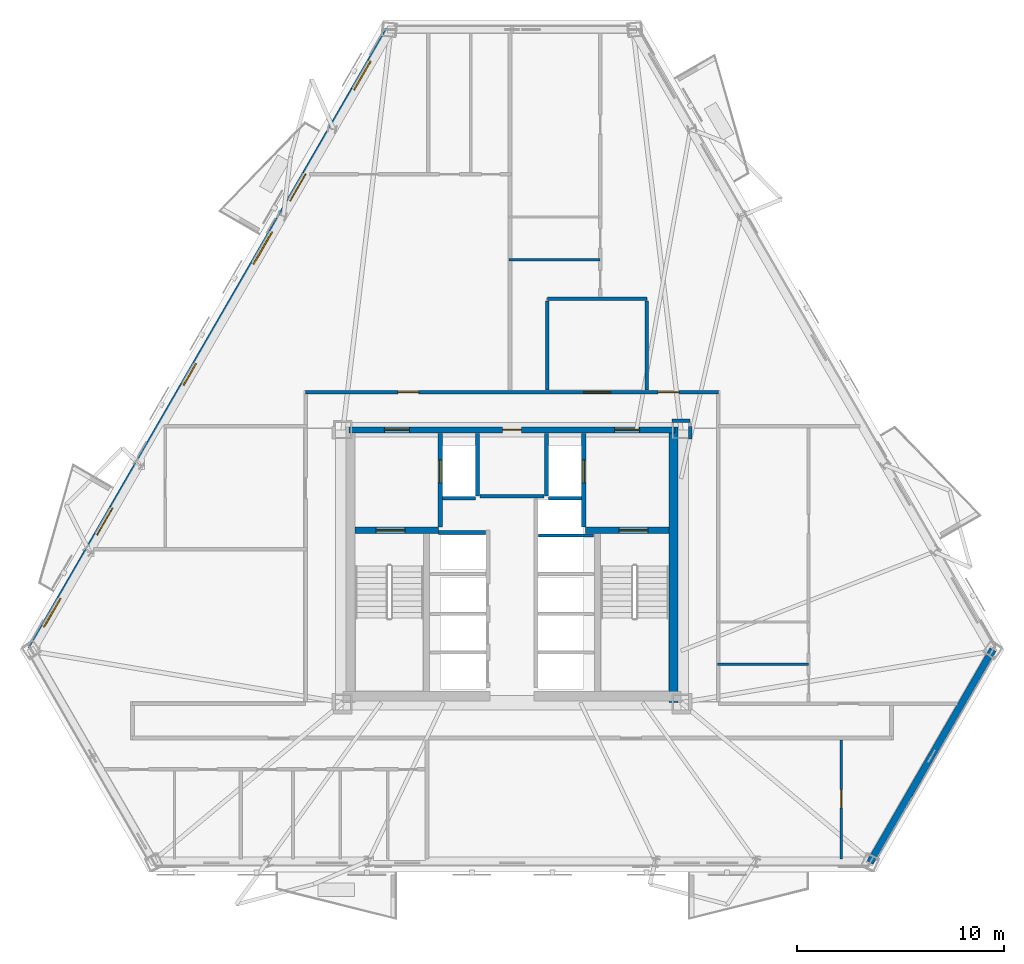
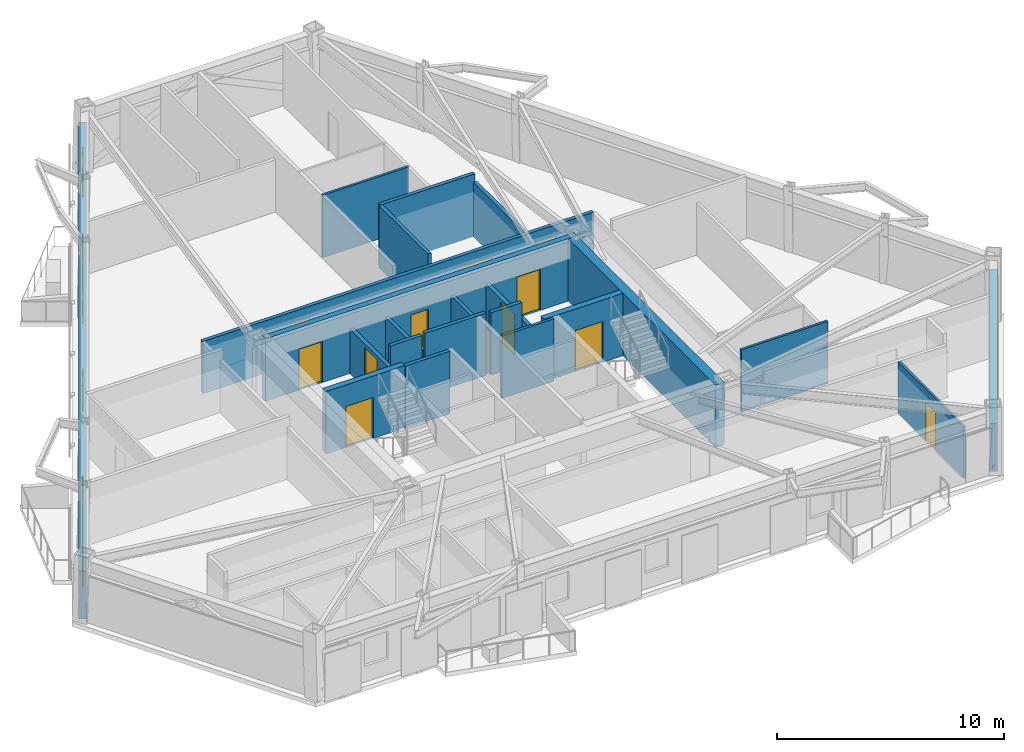
# One storey, part 4 of 10: 24 walls, 13 doors, 4 windows, 17 openings.
"""IFC4 building model written with IfcOpenShell, lengths in metres."""

from ifc_helpers import new_model, si_unit, direction, frame, frame_2d, origin, place, context, subcontext, project, spatial, rectangle, extrude, material, layer, layer_set, type_object, element, fill, save


model = new_model("IFC4")

# Units and contexts
model_context = context("Model", 3, precision=1e-05, world=origin(), true_north=direction((0.0, 1.0)))
body_context = subcontext(model_context, "Body", "Model", "MODEL_VIEW")
ifc_project = project(units=[si_unit("LENGTHUNIT", "METRE"), si_unit("AREAUNIT", "SQUARE_METRE"), si_unit("VOLUMEUNIT", "CUBIC_METRE"), si_unit("PLANEANGLEUNIT", "RADIAN"), si_unit("MASSUNIT", "GRAM", prefix="KILO")], contexts=[model_context])

# Site, building, storey
site_placement = place(None, origin())
site = spatial("IfcSite", under=ifc_project, at=site_placement, CompositionType="ELEMENT")
building_placement = place(site_placement, origin())
building = spatial("IfcBuilding", under=site, at=building_placement, Name="Oramaril Tower", CompositionType="ELEMENT")
storey_placement = place(building_placement, frame((0.0, 0.0, 100.5)))
storey = spatial("IfcBuildingStorey", under=building, at=storey_placement, Name="L26", CompositionType="ELEMENT", Elevation=100.5)

# Wall
ifc_material_1 = material(Name="Warm Cream Limestone", Category="masonry")
ifc_layer_1 = layer(ifc_material_1, 0.340087890625)
ifc_layer_set_1 = layer_set([ifc_layer_1], Name="WT-EXT34")
wall_type_1 = type_object("IfcWallType", Name="WT-EXT34", PredefinedType="SOLIDWALL", material=ifc_layer_set_1)
wall_1_placement = place(storey_placement, frame((54.75830078125, 3.286376953125, 0.0), z_axis=(0.0, 0.0, 1.0), x_axis=(0.4999967785, 0.866027263711, 0.0)))
element("IfcWall", 1, at=wall_1_placement, inside=storey, type_object=wall_type_1, Name="L26 Tower Limestone Facade Wall 3M", PredefinedType="SOLIDWALL", context=body_context, shape_type="SweptSolid", body=[
    extrude(rectangle(XDim=11.86376953125, YDim=0.340087890625, at=frame_2d((5.931884765625, 0.0))), origin(), (0.0, 0.0, 1.0), 2.577880859375),
])

# Wall, openings, doors, windows
wall_2_placement = place(storey_placement, frame((31.568115234375, 43.452880859375, 0.0), z_axis=(0.0, 0.0, 1.0), x_axis=(-0.500002056916, -0.86602421622, 0.0)))
wall_2 = element("IfcWall", 2, at=wall_2_placement, inside=storey, type_object=wall_type_1, Name="L26 Tower Limestone Facade Wall 6M", PredefinedType="SOLIDWALL", context=body_context, shape_type="SweptSolid", body=[
    extrude(rectangle(XDim=34.516357421875, YDim=0.340087890625, at=frame_2d((17.25830078125, 0.0))), origin(), (0.0, 0.0, 1.0), 2.577880859375),
])
opening_1_placement = place(wall_2_placement, frame((8.034423828125, 0.0, 0.0)))
opening_1 = element("IfcOpeningElement", 3, at=opening_1_placement, cuts=wall_2, Name="Opening D-L26-BAL-NW1", PredefinedType="OPENING", context=body_context, shape_type="SweptSolid", body=[
    extrude(rectangle(XDim=1.5, YDim=2.199951171875, at=frame_2d((0.75, 1.10009765625))), frame((0.0, 0.169921875, 0.0), z_axis=(0.0, -1.0, 0.0), x_axis=(1.0, 0.0, 0.0)), (0.0, 0.0, 1.0), 0.340087890625),
])
opening_2_placement = place(wall_2_placement, frame((26.647216796875, 0.0, 0.0)))
opening_2 = element("IfcOpeningElement", 4, at=opening_2_placement, cuts=wall_2, Name="Opening D-L26-BAL-NW2", PredefinedType="OPENING", context=body_context, shape_type="SweptSolid", body=[
    extrude(rectangle(XDim=1.5, YDim=2.199951171875, at=frame_2d((0.75, 1.10009765625))), frame((0.0, 0.169921875, 0.0), z_axis=(0.0, -1.0, 0.0), x_axis=(1.0, 0.0, 0.0)), (0.0, 0.0, 1.0), 0.340087890625),
])
opening_3_placement = place(wall_2_placement, frame((31.671630859375, 0.0, 0.85009765625)))
opening_3 = element("IfcOpeningElement", 5, at=opening_3_placement, cuts=wall_2, Name="Opening WN-07", PredefinedType="OPENING", context=body_context, shape_type="SweptSolid", body=[
    extrude(rectangle(XDim=1.60009765625, YDim=1.617919921875, at=frame_2d((0.800048828125, 0.80908203125))), frame((0.0, 0.169921875, 0.0), z_axis=(0.0, -1.0, 0.0), x_axis=(1.0, 0.0, 0.0)), (0.0, 0.0, 1.0), 0.340087890625),
])
opening_4_placement = place(wall_2_placement, frame((11.26220703125, 0.0, 0.85009765625)))
opening_4 = element("IfcOpeningElement", 6, at=opening_4_placement, cuts=wall_2, Name="Opening WN-06", PredefinedType="OPENING", context=body_context, shape_type="SweptSolid", body=[
    extrude(rectangle(XDim=1.800048828125, YDim=1.617919921875, at=frame_2d((0.89990234375, 0.80908203125))), frame((0.0, 0.169921875, 0.0), z_axis=(0.0, -1.0, 0.0), x_axis=(1.0, 0.0, 0.0)), (0.0, 0.0, 1.0), 0.340087890625),
])
opening_5_placement = place(wall_2_placement, frame((18.602294921875, 0.0, 0.85009765625)))
opening_5 = element("IfcOpeningElement", 7, at=opening_5_placement, cuts=wall_2, Name="Opening WN-09", PredefinedType="OPENING", context=body_context, shape_type="SweptSolid", body=[
    extrude(rectangle(XDim=1.199951171875, YDim=1.47998046875, at=frame_2d((0.60009765625, 0.739990234375))), frame((0.0, 0.169921875, 0.0), z_axis=(0.0, -1.0, 0.0), x_axis=(1.0, 0.0, 0.0)), (0.0, 0.0, 1.0), 0.340087890625),
])
opening_6_placement = place(wall_2_placement, frame((1.7626953125, 0.0, 0.85009765625)))
opening_6 = element("IfcOpeningElement", 8, at=opening_6_placement, cuts=wall_2, Name="Opening WN-07", PredefinedType="OPENING", context=body_context, shape_type="SweptSolid", body=[
    extrude(rectangle(XDim=1.60009765625, YDim=1.617919921875, at=frame_2d((0.800048828125, 0.80908203125))), frame((0.0, 0.169921875, 0.0), z_axis=(0.0, -1.0, 0.0), x_axis=(1.0, 0.0, 0.0)), (0.0, 0.0, 1.0), 0.340087890625),
])
ifc_material_2 = material(Name="Anodised Aluminium 6063-T6", Category="aluminium")
door_type_1 = type_object("IfcDoorType", Name="DT-BAL", OperationType="NOTDEFINED", PredefinedType="DOOR", material=ifc_material_2)
door_1_placement = place(opening_1_placement, origin())
door_1 = element("IfcDoor", 9, at=door_1_placement, inside=storey, type_object=door_type_1, Name="L26 Balcony Glazed Door L26-BAL-NW1", OperationType="SINGLE_SWING_LEFT", OverallHeight=2.199951171875, OverallWidth=1.5, PredefinedType="DOOR", context=body_context, shape_type="SweptSolid", body=[
    extrude(rectangle(XDim=1.5, YDim=2.199951171875, at=frame_2d((0.75, 1.10009765625))), frame((0.0, 0.02490234375, 0.0), z_axis=(0.0, -1.0, 0.0), x_axis=(1.0, 0.0, 0.0)), (0.0, 0.0, 1.0), 0.050048828125),
])
fill(opening_1, door_1)
door_2_placement = place(opening_2_placement, origin())
door_2 = element("IfcDoor", 10, at=door_2_placement, inside=storey, type_object=door_type_1, Name="L26 Balcony Glazed Door L26-BAL-NW2", OperationType="SINGLE_SWING_RIGHT", OverallHeight=2.199951171875, OverallWidth=1.5, PredefinedType="DOOR", context=body_context, shape_type="SweptSolid", body=[
    extrude(rectangle(XDim=1.5, YDim=2.199951171875, at=frame_2d((0.75, 1.10009765625))), frame((0.0, 0.02490234375, 0.0), z_axis=(0.0, -1.0, 0.0), x_axis=(1.0, 0.0, 0.0)), (0.0, 0.0, 1.0), 0.050048828125),
])
fill(opening_2, door_2)
ifc_material_3 = material(Name="Coastal Low-E Insulated Glass", Category="glass")
window_type_1 = type_object("IfcWindowType", Name="WNT-06", PartitioningType="SINGLE_PANEL", PredefinedType="WINDOW", material=ifc_material_3)
window_1_placement = place(opening_4_placement, origin())
window_1 = element("IfcWindow", 11, at=window_1_placement, inside=storey, type_object=window_type_1, Name="L26 Chicago Bay Window WN-06", OverallHeight=1.617919921875, OverallWidth=1.800048828125, PartitioningType="SINGLE_PANEL", PredefinedType="WINDOW", context=body_context, shape_type="SweptSolid", body=[
    extrude(rectangle(XDim=1.800048828125, YDim=1.617919921875, at=frame_2d((0.89990234375, 0.80908203125))), frame((0.0, 0.030029296875, 0.0), z_axis=(0.0, -1.0, 0.0), x_axis=(1.0, 0.0, 0.0)), (0.0, 0.0, 1.0), 0.06005859375),
])
fill(opening_4, window_1)
ifc_material_4 = material(Name="Coastal Low-E Insulated Glass", Category="glass")
window_type_2 = type_object("IfcWindowType", Name="WNT-07", PartitioningType="SINGLE_PANEL", PredefinedType="WINDOW", material=ifc_material_4)
window_2_placement = place(opening_3_placement, origin())
window_2 = element("IfcWindow", 12, at=window_2_placement, inside=storey, type_object=window_type_2, Name="L26 Chicago Bay Window WN-07", OverallHeight=1.617919921875, OverallWidth=1.60009765625, PartitioningType="SINGLE_PANEL", PredefinedType="WINDOW", context=body_context, shape_type="SweptSolid", body=[
    extrude(rectangle(XDim=1.60009765625, YDim=1.617919921875, at=frame_2d((0.800048828125, 0.80908203125))), frame((0.0, 0.030029296875, 0.0), z_axis=(0.0, -1.0, 0.0), x_axis=(1.0, 0.0, 0.0)), (0.0, 0.0, 1.0), 0.06005859375),
])
fill(opening_3, window_2)
window_3_placement = place(opening_6_placement, origin())
window_3 = element("IfcWindow", 13, at=window_3_placement, inside=storey, type_object=window_type_2, Name="L26 Chicago Bay Window WN-07", OverallHeight=1.617919921875, OverallWidth=1.60009765625, PartitioningType="SINGLE_PANEL", PredefinedType="WINDOW", context=body_context, shape_type="SweptSolid", body=[
    extrude(rectangle(XDim=1.60009765625, YDim=1.617919921875, at=frame_2d((0.800048828125, 0.80908203125))), frame((0.0, 0.030029296875, 0.0), z_axis=(0.0, -1.0, 0.0), x_axis=(1.0, 0.0, 0.0)), (0.0, 0.0, 1.0), 0.06005859375),
])
fill(opening_6, window_3)
ifc_material_5 = material(Name="Coastal Low-E Insulated Glass", Category="glass")
window_type_3 = type_object("IfcWindowType", Name="WNT-09", PartitioningType="SINGLE_PANEL", PredefinedType="WINDOW", material=ifc_material_5)
window_4_placement = place(opening_5_placement, origin())
window_4 = element("IfcWindow", 14, at=window_4_placement, inside=storey, type_object=window_type_3, Name="L26 Chicago Bay Window WN-09", OverallHeight=1.47998046875, OverallWidth=1.199951171875, PartitioningType="SINGLE_PANEL", PredefinedType="WINDOW", context=body_context, shape_type="SweptSolid", body=[
    extrude(rectangle(XDim=1.199951171875, YDim=1.47998046875, at=frame_2d((0.60009765625, 0.739990234375))), frame((0.0, 0.030029296875, 0.0), z_axis=(0.0, -1.0, 0.0), x_axis=(1.0, 0.0, 0.0)), (0.0, 0.0, 1.0), 0.06005859375),
])
fill(opening_5, window_4)

# Walls
ifc_material_6 = material(Name="Acoustic Gypsum Board Partition")
ifc_layer_2 = layer(ifc_material_6, 0.1201171875)
ifc_layer_set_2 = layer_set([ifc_layer_2], Name="WT-PT12")
wall_type_2 = type_object("IfcWallType", Name="WT-PT12", PredefinedType="PARTITIONING", material=ifc_layer_set_2)
wall_3_placement = place(storey_placement, frame((47.39990234375, 12.840087890625, 0.0), z_axis=(0.0, 0.0, 1.0), x_axis=(1.0, 0.0, 0.0)))
element("IfcWall", 15, at=wall_3_placement, inside=storey, type_object=wall_type_2, Name="L26 Interior Partition PT-12", PredefinedType="PARTITIONING", context=body_context, shape_type="SweptSolid", body=[
    extrude(rectangle(XDim=4.400146484375, YDim=0.1201171875, at=frame_2d((2.2001953125, 0.0))), origin(), (0.0, 0.0, 1.0), 3.360107421875),
])
wall_4_placement = place(storey_placement, frame((37.35009765625, 32.360107421875, 0.0), z_axis=(0.0, 0.0, 1.0), x_axis=(1.0, 0.0, 0.0)))
element("IfcWall", 16, at=wall_4_placement, inside=storey, type_object=wall_type_2, Name="L26 Interior Partition PT-12", PredefinedType="PARTITIONING", context=body_context, shape_type="SweptSolid", body=[
    extrude(rectangle(XDim=4.39990234375, YDim=0.1201171875, at=frame_2d((2.199951171875, 0.0))), origin(), (0.0, 0.0, 1.0), 3.360107421875),
])

# Wall, opening, door
wall_5_placement = place(storey_placement, frame((53.3798828125, 3.460205078125, 0.0), z_axis=(0.0, 0.0, 1.0), x_axis=(0.0, 1.0, 0.0)))
wall_5 = element("IfcWall", 17, at=wall_5_placement, inside=storey, type_object=wall_type_2, Name="L26 Interior Partition PT-12", PredefinedType="PARTITIONING", context=body_context, shape_type="SweptSolid", body=[
    extrude(rectangle(XDim=5.745849609375, YDim=0.1201171875, at=frame_2d((2.873046875, 0.0))), origin(), (0.0, 0.0, 1.0), 2.81396484375),
])
opening_7_placement = place(wall_5_placement, frame((2.4677734375, 0.0, 0.0)))
opening_7 = element("IfcOpeningElement", 18, at=opening_7_placement, cuts=wall_5, Name="Opening D-L26-24", PredefinedType="OPENING", context=body_context, shape_type="SweptSolid", body=[
    extrude(rectangle(XDim=0.8798828125, YDim=2.080078125, at=frame_2d((0.43994140625, 1.0400390625))), frame((0.0, 0.06005859375, 0.0), z_axis=(0.0, -1.0, 0.0), x_axis=(1.0, 0.0, 0.0)), (0.0, 0.0, 1.0), 0.1201171875),
])
ifc_material_7 = material(Name="FSC Brazilian Freijo Hardwood", Category="wood")
door_type_2 = type_object("IfcDoorType", Name="DT-BATH", OperationType="NOTDEFINED", PredefinedType="DOOR", material=ifc_material_7)
door_3_placement = place(opening_7_placement, origin())
door_3 = element("IfcDoor", 19, at=door_3_placement, inside=storey, type_object=door_type_2, Name="L26 Flat L26-U1 Bathroom Door D-L26-24", OperationType="SINGLE_SWING_RIGHT", OverallHeight=2.080078125, OverallWidth=0.8798828125, PredefinedType="DOOR", context=body_context, shape_type="SweptSolid", body=[
    extrude(rectangle(XDim=0.8798828125, YDim=2.080078125, at=frame_2d((0.43994140625, 1.0400390625))), frame((0.0, 0.02490234375, 0.0), z_axis=(0.0, -1.0, 0.0), x_axis=(1.0, 0.0, 0.0)), (0.0, 0.0, 1.0), 0.050048828125),
])
fill(opening_7, door_3)

# Walls
ifc_material_8 = material(Name="Acoustic Gypsum Board Partition")
ifc_layer_3 = layer(ifc_material_8, 0.139892578125)
ifc_layer_set_3 = layer_set([ifc_layer_3], Name="WT-PT14")
wall_type_3 = type_object("IfcWallType", Name="WT-PT14", PredefinedType="PARTITIONING", material=ifc_layer_set_3)
wall_6_placement = place(storey_placement, frame((38.780029296875, 19.050048828125, 0.0), z_axis=(0.0, 0.0, 1.0), x_axis=(1.0, 0.0, 0.0)))
element("IfcWall", 20, at=wall_6_placement, inside=storey, type_object=wall_type_3, Name="L26 East Lift Divider", PredefinedType="PARTITIONING", context=body_context, shape_type="SweptSolid", body=[
    extrude(rectangle(XDim=2.659912109375, YDim=0.139892578125, at=frame_2d((1.330078125, 0.0))), origin(), (0.0, 0.0, 1.0), 3.360107421875),
])
ifc_material_9 = material(Name="Autoclaved Cellular Concrete Block", Category="concrete")
ifc_layer_4 = layer(ifc_material_9, 0.179931640625)
ifc_layer_set_4 = layer_set([ifc_layer_4], Name="WT-PT18")
wall_type_4 = type_object("IfcWallType", Name="WT-PT18", PredefinedType="PARTITIONING", material=ifc_layer_set_4)
wall_7_placement = place(storey_placement, frame((35.840087890625, 20.9599609375, 0.0), z_axis=(0.0, 0.0, 1.0), x_axis=(0.0, 1.0, 0.0)))
element("IfcWall", 21, at=wall_7_placement, inside=storey, type_object=wall_type_4, Name="L26 FL-1 East Shaft Wall", PredefinedType="PARTITIONING", context=body_context, shape_type="SweptSolid", body=[
    extrude(rectangle(XDim=3.02001953125, YDim=0.179931640625, at=frame_2d((1.510009765625, 0.0))), origin(), (0.0, 0.0, 1.0), 2.39990234375),
])
wall_8_placement = place(storey_placement, frame((34.159912109375, 20.860107421875, 0.0), z_axis=(0.0, 0.0, 1.0), x_axis=(1.0, 0.0, 0.0)))
element("IfcWall", 22, at=wall_8_placement, inside=storey, type_object=wall_type_4, Name="L26 FL-1 South Shaft Wall", PredefinedType="PARTITIONING", context=body_context, shape_type="SweptSolid", body=[
    extrude(rectangle(XDim=1.580078125, YDim=0.179931640625, at=frame_2d((0.7900390625, 0.0))), origin(), (0.0, 0.0, 1.0), 3.360107421875),
])
wall_9_placement = place(storey_placement, frame((39.159912109375, 20.9599609375, 0.0), z_axis=(0.0, 0.0, 1.0), x_axis=(0.0, 1.0, 0.0)))
element("IfcWall", 23, at=wall_9_placement, inside=storey, type_object=wall_type_4, Name="L26 FL-2 West Shaft Wall", PredefinedType="PARTITIONING", context=body_context, shape_type="SweptSolid", body=[
    extrude(rectangle(XDim=3.02001953125, YDim=0.179931640625, at=frame_2d((1.510009765625, 0.0))), origin(), (0.0, 0.0, 1.0), 2.39990234375),
])
wall_10_placement = place(storey_placement, frame((39.260009765625, 20.860107421875, 0.0), z_axis=(0.0, 0.0, 1.0), x_axis=(1.0, 0.0, 0.0)))
element("IfcWall", 24, at=wall_10_placement, inside=storey, type_object=wall_type_4, Name="L26 FL-2 South Shaft Wall", PredefinedType="PARTITIONING", context=body_context, shape_type="SweptSolid", body=[
    extrude(rectangle(XDim=1.580078125, YDim=0.179931640625, at=frame_2d((0.7900390625, 0.0))), origin(), (0.0, 0.0, 1.0), 3.360107421875),
])
wall_11_placement = place(storey_placement, frame((33.949951171875, 19.199951171875, 0.0), z_axis=(0.0, 0.0, 1.0), x_axis=(1.0, 0.0, 0.0)))
element("IfcWall", 25, at=wall_11_placement, inside=storey, type_object=wall_type_4, Name="L26 High-Rise Lift H1 North Shaft Wall", PredefinedType="PARTITIONING", context=body_context, shape_type="SweptSolid", body=[
    extrude(rectangle(XDim=2.27001953125, YDim=0.179931640625, at=frame_2d((1.135009765625, 0.0))), origin(), (0.0, 0.0, 1.0), 3.360107421875),
])
wall_12_placement = place(storey_placement, frame((35.949951171875, 20.949951171875, 0.0), z_axis=(0.0, 0.0, 1.0), x_axis=(1.0, 0.0, 0.0)))
element("IfcWall", 26, at=wall_12_placement, inside=storey, type_object=wall_type_4, Name="L26 Lift Lobby North Partition", PredefinedType="PARTITIONING", context=body_context, shape_type="SweptSolid", body=[
    extrude(rectangle(XDim=3.10009765625, YDim=0.179931640625, at=frame_2d((1.550048828125, 0.0))), origin(), (0.0, 0.0, 1.0), 3.360107421875),
])
wall_13_placement = place(storey_placement, frame((45.2099609375, 24.590087890625, 0.0), z_axis=(0.0, 0.0, 1.0), x_axis=(1.0, 0.0, 0.0)))
element("IfcWall", 27, at=wall_13_placement, inside=storey, type_object=wall_type_4, Name="L26 Interior Partition PT-18", PredefinedType="PARTITIONING", context=body_context, shape_type="SweptSolid", body=[
    extrude(rectangle(XDim=0.880126953125, YDim=0.179931640625, at=frame_2d((0.43994140625, 0.0))), origin(), (0.0, 0.0, 1.0), 2.81396484375),
])

# Wall, openings, doors
wall_14_placement = place(storey_placement, frame((27.550048828125, 25.969970703125, 0.0), z_axis=(0.0, 0.0, 1.0), x_axis=(1.0, 0.0, 0.0)))
wall_14 = element("IfcWall", 28, at=wall_14_placement, inside=storey, type_object=wall_type_4, Name="L26 Interior Partition PT-18", PredefinedType="PARTITIONING", context=body_context, shape_type="SweptSolid", body=[
    extrude(rectangle(XDim=19.89990234375, YDim=0.179931640625, at=frame_2d((9.949951171875, 0.0))), origin(), (0.0, 0.0, 1.0), 2.81396484375),
])
opening_8_placement = place(wall_14_placement, frame((4.446044921875, 0.0, 0.0)))
opening_8 = element("IfcOpeningElement", 29, at=opening_8_placement, cuts=wall_14, Name="Opening D-L26-10", PredefinedType="OPENING", context=body_context, shape_type="SweptSolid", body=[
    extrude(rectangle(XDim=1.0, YDim=2.179931640625, at=frame_2d((0.5, 1.08984375))), frame((0.0, 0.08984375, 0.0), z_axis=(0.0, -1.0, 0.0), x_axis=(1.0, 0.0, 0.0)), (0.0, 0.0, 1.0), 0.179931640625),
])
opening_9_placement = place(wall_14_placement, frame((13.39990234375, 0.0, 0.0)))
opening_9 = element("IfcOpeningElement", 30, at=opening_9_placement, cuts=wall_14, Name="Opening D-L26-11", PredefinedType="OPENING", context=body_context, shape_type="SweptSolid", body=[
    extrude(rectangle(XDim=1.300048828125, YDim=2.199951171875, at=frame_2d((0.64990234375, 1.10009765625))), frame((0.0, 0.08984375, 0.0), z_axis=(0.0, -1.0, 0.0), x_axis=(1.0, 0.0, 0.0)), (0.0, 0.0, 1.0), 0.179931640625),
])
opening_10_placement = place(wall_14_placement, frame((16.990478515625, 0.0, 0.0)))
opening_10 = element("IfcOpeningElement", 31, at=opening_10_placement, cuts=wall_14, Name="Opening D-L26-12", PredefinedType="OPENING", context=body_context, shape_type="SweptSolid", body=[
    extrude(rectangle(XDim=1.0, YDim=2.179931640625, at=frame_2d((0.5, 1.08984375))), frame((0.0, 0.08984375, 0.0), z_axis=(0.0, -1.0, 0.0), x_axis=(1.0, 0.0, 0.0)), (0.0, 0.0, 1.0), 0.179931640625),
])
ifc_material_10 = material(Name="FSC Brazilian Freijo Hardwood", Category="wood")
door_type_3 = type_object("IfcDoorType", Name="DT-APT", OperationType="NOTDEFINED", PredefinedType="DOOR", material=ifc_material_10)
door_4_placement = place(opening_8_placement, origin())
door_4 = element("IfcDoor", 32, at=door_4_placement, inside=storey, type_object=door_type_3, Name="L26 Flat L26-U5 Penthouse Living and Dining Room Door D-L26-10", OperationType="SINGLE_SWING_RIGHT", OverallHeight=2.179931640625, OverallWidth=1.0, PredefinedType="DOOR", context=body_context, shape_type="SweptSolid", body=[
    extrude(rectangle(XDim=1.0, YDim=2.179931640625, at=frame_2d((0.5, 1.08984375))), frame((0.0, 0.02490234375, 0.0), z_axis=(0.0, -1.0, 0.0), x_axis=(1.0, 0.0, 0.0)), (0.0, 0.0, 1.0), 0.050048828125),
])
fill(opening_8, door_4)
door_5_placement = place(opening_10_placement, origin())
door_5 = element("IfcDoor", 33, at=door_5_placement, inside=storey, type_object=door_type_3, Name="L26 Flat L26-U6 Penthouse Living and Dining Room Door D-L26-12", OperationType="SINGLE_SWING_RIGHT", OverallHeight=2.179931640625, OverallWidth=1.0, PredefinedType="DOOR", context=body_context, shape_type="SweptSolid", body=[
    extrude(rectangle(XDim=1.0, YDim=2.179931640625, at=frame_2d((0.5, 1.08984375))), frame((0.0, 0.02490234375, 0.0), z_axis=(0.0, -1.0, 0.0), x_axis=(1.0, 0.0, 0.0)), (0.0, 0.0, 1.0), 0.050048828125),
])
fill(opening_10, door_5)
ifc_material_11 = material(Name="FSC Brazilian Freijo Hardwood", Category="wood")
door_type_4 = type_object("IfcDoorType", Name="DT-COM", OperationType="NOTDEFINED", PredefinedType="DOOR", material=ifc_material_11)
door_6_placement = place(opening_9_placement, origin())
door_6 = element("IfcDoor", 34, at=door_6_placement, inside=storey, type_object=door_type_4, Name="L26 L26 Residents Reading Library Door D-L26-11", OperationType="SINGLE_SWING_LEFT", OverallHeight=2.199951171875, OverallWidth=1.300048828125, PredefinedType="DOOR", context=body_context, shape_type="SweptSolid", body=[
    extrude(rectangle(XDim=1.300048828125, YDim=2.199951171875, at=frame_2d((0.64990234375, 1.10009765625))), frame((0.0, 0.02490234375, 0.0), z_axis=(0.0, -1.0, 0.0), x_axis=(1.0, 0.0, 0.0)), (0.0, 0.0, 1.0), 0.050048828125),
])
fill(opening_9, door_6)

# Walls
wall_15_placement = place(storey_placement, frame((39.199951171875, 30.469970703125, 0.0), z_axis=(0.0, 0.0, 1.0), x_axis=(1.0, 0.0, 0.0)))
element("IfcWall", 35, at=wall_15_placement, inside=storey, type_object=wall_type_4, Name="L26 Interior Partition PT-18", PredefinedType="PARTITIONING", context=body_context, shape_type="SweptSolid", body=[
    extrude(rectangle(XDim=4.800048828125, YDim=0.179931640625, at=frame_2d((2.39990234375, 0.0))), origin(), (0.0, 0.0, 1.0), 3.360107421875),
])
wall_16_placement = place(storey_placement, frame((39.199951171875, 26.06396484375, 0.0), z_axis=(0.0, 0.0, 1.0), x_axis=(0.0, 1.0, 0.0)))
element("IfcWall", 36, at=wall_16_placement, inside=storey, type_object=wall_type_4, Name="L26 Interior Partition PT-18", PredefinedType="PARTITIONING", context=body_context, shape_type="SweptSolid", body=[
    extrude(rectangle(XDim=4.31201171875, YDim=0.179931640625, at=frame_2d((2.156005859375, 0.0))), origin(), (0.0, 0.0, 1.0), 3.360107421875),
])
wall_17_placement = place(storey_placement, frame((44.0, 26.06396484375, 0.0), z_axis=(0.0, 0.0, 1.0), x_axis=(0.0, 1.0, 0.0)))
element("IfcWall", 37, at=wall_17_placement, inside=storey, type_object=wall_type_4, Name="L26 Interior Partition PT-18", PredefinedType="PARTITIONING", context=body_context, shape_type="SweptSolid", body=[
    extrude(rectangle(XDim=4.31201171875, YDim=0.179931640625, at=frame_2d((2.156005859375, 0.0))), origin(), (0.0, 0.0, 1.0), 2.946044921875),
])
wall_18_placement = place(storey_placement, frame((46.090087890625, 23.705078125, 0.0), z_axis=(0.0, 0.0, 1.0), x_axis=(0.0, 1.0, 0.0)))
element("IfcWall", 38, at=wall_18_placement, inside=storey, type_object=wall_type_4, Name="L26 Interior Partition PT-18", PredefinedType="PARTITIONING", context=body_context, shape_type="SweptSolid", body=[
    extrude(rectangle(XDim=0.614990234375, YDim=0.179931640625, at=frame_2d((0.3076171875, 0.0))), origin(), (0.0, 0.0, 1.0), 2.946044921875),
])

# Wall, openings, doors
ifc_material_12 = material(Name="Concrete C50/60", Category="concrete")
ifc_layer_5 = layer(ifc_material_12, 0.300048828125)
ifc_layer_set_5 = layer_set([ifc_layer_5], Name="WT-SH30")
wall_type_5 = type_object("IfcWallType", Name="WT-SH30", PredefinedType="SHEAR", material=ifc_layer_set_5)
wall_19_placement = place(storey_placement, frame((29.64990234375, 24.14990234375, 0.0), z_axis=(0.0, 0.0, 1.0), x_axis=(1.0, 0.0, 0.0)))
wall_19 = element("IfcWall", 39, at=wall_19_placement, inside=storey, type_object=wall_type_5, Name="L26 Core Shear Wall CW-N", PredefinedType="SHEAR", context=body_context, shape_type="SweptSolid", body=[
    extrude(rectangle(XDim=15.7001953125, YDim=0.300048828125, at=frame_2d((7.85009765625, 0.0))), origin(), (0.0, 0.0, 1.0), 3.360107421875),
])
opening_11_placement = place(wall_19_placement, frame((1.699951171875, 0.0, 0.0)))
opening_11 = element("IfcOpeningElement", 40, at=opening_11_placement, cuts=wall_19, Name="Opening D-L26-FFL1", PredefinedType="OPENING", context=body_context, shape_type="SweptSolid", body=[
    extrude(rectangle(XDim=1.199951171875, YDim=2.199951171875, at=frame_2d((0.60009765625, 1.10009765625))), frame((0.0, 0.14990234375, 0.0), z_axis=(0.0, -1.0, 0.0), x_axis=(1.0, 0.0, 0.0)), (0.0, 0.0, 1.0), 0.300048828125),
])
opening_12_placement = place(wall_19_placement, frame((12.800048828125, 0.0, 0.0)))
opening_12 = element("IfcOpeningElement", 41, at=opening_12_placement, cuts=wall_19, Name="Opening D-L26-FFL2", PredefinedType="OPENING", context=body_context, shape_type="SweptSolid", body=[
    extrude(rectangle(XDim=1.199951171875, YDim=2.199951171875, at=frame_2d((0.60009765625, 1.10009765625))), frame((0.0, 0.14990234375, 0.0), z_axis=(0.0, -1.0, 0.0), x_axis=(1.0, 0.0, 0.0)), (0.0, 0.0, 1.0), 0.300048828125),
])
opening_13_placement = place(wall_19_placement, frame((7.39990234375, 0.0, 0.0)))
opening_13 = element("IfcOpeningElement", 42, at=opening_13_placement, cuts=wall_19, Name="Opening D-L26-SV1", PredefinedType="OPENING", context=body_context, shape_type="SweptSolid", body=[
    extrude(rectangle(XDim=0.89990234375, YDim=2.050048828125, at=frame_2d((0.449951171875, 1.02490234375))), frame((0.0, 0.14990234375, 0.0), z_axis=(0.0, -1.0, 0.0), x_axis=(1.0, 0.0, 0.0)), (0.0, 0.0, 1.0), 0.300048828125),
])
ifc_material_13 = material(Name="Painted Galvanised Steel", Category="steel")
door_type_5 = type_object("IfcDoorType", Name="DT-FFL", OperationType="NOTDEFINED", PredefinedType="DOOR", material=ifc_material_13)
door_7_placement = place(opening_11_placement, origin())
door_7 = element("IfcDoor", 43, at=door_7_placement, inside=storey, type_object=door_type_5, Name="L26 Firefighting Lobby 1 Fire Door", OperationType="SINGLE_SWING_LEFT", OverallHeight=2.199951171875, OverallWidth=1.199951171875, PredefinedType="DOOR", context=body_context, shape_type="SweptSolid", body=[
    extrude(rectangle(XDim=1.199951171875, YDim=2.199951171875, at=frame_2d((0.60009765625, 1.10009765625))), frame((0.0, 0.02490234375, 0.0), z_axis=(0.0, -1.0, 0.0), x_axis=(1.0, 0.0, 0.0)), (0.0, 0.0, 1.0), 0.050048828125),
])
fill(opening_11, door_7)
door_8_placement = place(opening_12_placement, origin())
door_8 = element("IfcDoor", 44, at=door_8_placement, inside=storey, type_object=door_type_5, Name="L26 Firefighting Lobby 2 Fire Door", OperationType="SINGLE_SWING_RIGHT", OverallHeight=2.199951171875, OverallWidth=1.199951171875, PredefinedType="DOOR", context=body_context, shape_type="SweptSolid", body=[
    extrude(rectangle(XDim=1.199951171875, YDim=2.199951171875, at=frame_2d((0.60009765625, 1.10009765625))), frame((0.0, 0.02490234375, 0.0), z_axis=(0.0, -1.0, 0.0), x_axis=(1.0, 0.0, 0.0)), (0.0, 0.0, 1.0), 0.050048828125),
])
fill(opening_12, door_8)
ifc_material_14 = material(Name="Painted Galvanised Steel", Category="steel")
door_type_6 = type_object("IfcDoorType", Name="DT-SVC", OperationType="NOTDEFINED", PredefinedType="DOOR", material=ifc_material_14)
door_9_placement = place(opening_13_placement, origin())
door_9 = element("IfcDoor", 45, at=door_9_placement, inside=storey, type_object=door_type_6, Name="L26 Core Janitor Store Door", OperationType="SINGLE_SWING_LEFT", OverallHeight=2.050048828125, OverallWidth=0.89990234375, PredefinedType="DOOR", context=body_context, shape_type="SweptSolid", body=[
    extrude(rectangle(XDim=0.89990234375, YDim=2.050048828125, at=frame_2d((0.449951171875, 1.02490234375))), frame((0.0, 0.02490234375, 0.0), z_axis=(0.0, -1.0, 0.0), x_axis=(1.0, 0.0, 0.0)), (0.0, 0.0, 1.0), 0.050048828125),
])
fill(opening_13, door_9)

# Wall, opening, door
wall_20_placement = place(storey_placement, frame((29.93994140625, 19.31005859375, 0.0), z_axis=(0.0, 0.0, 1.0), x_axis=(1.0, 0.0, 0.0)))
wall_20 = element("IfcWall", 46, at=wall_20_placement, inside=storey, type_object=wall_type_5, Name="L26 Core Shear Wall CW-ST1N", PredefinedType="SHEAR", context=body_context, shape_type="SweptSolid", body=[
    extrude(rectangle(XDim=4.010009765625, YDim=0.300048828125, at=frame_2d((2.0048828125, 0.0))), origin(), (0.0, 0.0, 1.0), 3.360107421875),
])
opening_14_placement = place(wall_20_placement, frame((1.010009765625, 0.0, 0.0)))
opening_14 = element("IfcOpeningElement", 47, at=opening_14_placement, cuts=wall_20, Name="Opening D-L26-ST1", PredefinedType="OPENING", context=body_context, shape_type="SweptSolid", body=[
    extrude(rectangle(XDim=1.39990234375, YDim=2.199951171875, at=frame_2d((0.699951171875, 1.10009765625))), frame((0.0, 0.14990234375, 0.0), z_axis=(0.0, -1.0, 0.0), x_axis=(1.0, 0.0, 0.0)), (0.0, 0.0, 1.0), 0.300048828125),
])
ifc_material_15 = material(Name="Painted Galvanised Steel", Category="steel")
door_type_7 = type_object("IfcDoorType", Name="DT-ST", OperationType="NOTDEFINED", PredefinedType="DOOR", material=ifc_material_15)
door_10_placement = place(opening_14_placement, origin())
door_10 = element("IfcDoor", 48, at=door_10_placement, inside=storey, type_object=door_type_7, Name="L26 Protected Stair ST-1 Fire Door", OperationType="SINGLE_SWING_LEFT", OverallHeight=2.199951171875, OverallWidth=1.39990234375, PredefinedType="DOOR", context=body_context, shape_type="SweptSolid", body=[
    extrude(rectangle(XDim=1.39990234375, YDim=2.199951171875, at=frame_2d((0.699951171875, 1.10009765625))), frame((0.0, 0.02490234375, 0.0), z_axis=(0.0, -1.0, 0.0), x_axis=(1.0, 0.0, 0.0)), (0.0, 0.0, 1.0), 0.050048828125),
])
fill(opening_14, door_10)

wall_21_placement = place(storey_placement, frame((41.050048828125, 19.31005859375, 0.0), z_axis=(0.0, 0.0, 1.0), x_axis=(1.0, 0.0, 0.0)))
wall_21 = element("IfcWall", 49, at=wall_21_placement, inside=storey, type_object=wall_type_5, Name="L26 Core Shear Wall CW-ST2N", PredefinedType="SHEAR", context=body_context, shape_type="SweptSolid", body=[
    extrude(rectangle(XDim=4.010009765625, YDim=0.300048828125, at=frame_2d((2.0048828125, 0.0))), origin(), (0.0, 0.0, 1.0), 3.360107421875),
])
opening_15_placement = place(wall_21_placement, frame((1.60009765625, 0.0, 0.0)))
opening_15 = element("IfcOpeningElement", 50, at=opening_15_placement, cuts=wall_21, Name="Opening D-L26-ST2", PredefinedType="OPENING", context=body_context, shape_type="SweptSolid", body=[
    extrude(rectangle(XDim=1.39990234375, YDim=2.199951171875, at=frame_2d((0.699951171875, 1.10009765625))), frame((0.0, 0.14990234375, 0.0), z_axis=(0.0, -1.0, 0.0), x_axis=(1.0, 0.0, 0.0)), (0.0, 0.0, 1.0), 0.300048828125),
])
door_11_placement = place(opening_15_placement, origin())
door_11 = element("IfcDoor", 51, at=door_11_placement, inside=storey, type_object=door_type_7, Name="L26 Protected Stair ST-2 Fire Door", OperationType="SINGLE_SWING_RIGHT", OverallHeight=2.199951171875, OverallWidth=1.39990234375, PredefinedType="DOOR", context=body_context, shape_type="SweptSolid", body=[
    extrude(rectangle(XDim=1.39990234375, YDim=2.199951171875, at=frame_2d((0.699951171875, 1.10009765625))), frame((0.0, 0.02490234375, 0.0), z_axis=(0.0, -1.0, 0.0), x_axis=(1.0, 0.0, 0.0)), (0.0, 0.0, 1.0), 0.050048828125),
])
fill(opening_15, door_11)

# Wall
ifc_material_16 = material(Name="Concrete C50/60", Category="concrete")
ifc_layer_6 = layer(ifc_material_16, 0.449951171875)
ifc_layer_set_6 = layer_set([ifc_layer_6], Name="WT-SH45")
wall_type_6 = type_object("IfcWallType", Name="WT-SH45", PredefinedType="SHEAR", material=ifc_layer_set_6)
wall_22_placement = place(storey_placement, frame((45.284912109375, 11.0, 0.0), z_axis=(0.0, 0.0, 1.0), x_axis=(0.0, 1.0, 0.0)))
element("IfcWall", 52, at=wall_22_placement, inside=storey, type_object=wall_type_6, Name="L26 Core Shear Wall CW-E", PredefinedType="SHEAR", context=body_context, shape_type="SweptSolid", body=[
    extrude(rectangle(XDim=13.300048828125, YDim=0.449951171875, at=frame_2d((6.64990234375, 0.0))), origin(), (0.0, 0.0, 1.0), 3.360107421875),
])

# Wall, opening, door
ifc_material_17 = material(Name="Autoclaved Cellular Concrete Block", Category="concrete")
ifc_layer_7 = layer(ifc_material_17, 0.199951171875)
ifc_layer_set_7 = layer_set([ifc_layer_7], Name="WT-SHF20")
wall_type_7 = type_object("IfcWallType", Name="WT-SHF20", PredefinedType="PARTITIONING", material=ifc_layer_set_7)
wall_23_placement = place(storey_placement, frame((34.0400390625, 19.47998046875, 0.0), z_axis=(0.0, 0.0, 1.0), x_axis=(0.0, 1.0, 0.0)))
wall_23 = element("IfcWall", 53, at=wall_23_placement, inside=storey, type_object=wall_type_7, Name="L26 FL-1 Lobby Shaft Wall", PredefinedType="PARTITIONING", context=body_context, shape_type="SweptSolid", body=[
    extrude(rectangle(XDim=4.5, YDim=0.199951171875, at=frame_2d((2.25, 0.0))), origin(), (0.0, 0.0, 1.0), 2.39990234375),
])
opening_16_placement = place(wall_23_placement, frame((2.1201171875, 0.0, 0.0)))
opening_16 = element("IfcOpeningElement", 54, at=opening_16_placement, cuts=wall_23, Name="Opening LD-L26-FL-1", PredefinedType="OPENING", context=body_context, shape_type="SweptSolid", body=[
    extrude(rectangle(XDim=1.10009765625, YDim=2.199951171875, at=frame_2d((0.550048828125, 1.10009765625))), frame((0.0, 0.10009765625, 0.0), z_axis=(0.0, -1.0, 0.0), x_axis=(1.0, 0.0, 0.0)), (0.0, 0.0, 1.0), 0.199951171875),
])
ifc_material_18 = material(Name="Stainless Steel 316L", Category="steel")
door_type_8 = type_object("IfcDoorType", Name="DT-LD1", OperationType="NOTDEFINED", PredefinedType="DOOR", material=ifc_material_18)
door_12_placement = place(opening_16_placement, origin())
door_12 = element("IfcDoor", 55, at=door_12_placement, inside=storey, type_object=door_type_8, Name="L26 Lift FL-1 Sliding Landing Door", OperationType="SLIDING_TO_LEFT", OverallHeight=2.199951171875, OverallWidth=1.10009765625, PredefinedType="DOOR", context=body_context, shape_type="SweptSolid", body=[
    extrude(rectangle(XDim=1.10009765625, YDim=2.199951171875, at=frame_2d((0.550048828125, 1.10009765625))), frame((0.0, 0.02490234375, 0.0), z_axis=(0.0, -1.0, 0.0), x_axis=(1.0, 0.0, 0.0)), (0.0, 0.0, 1.0), 0.050048828125),
])
fill(opening_16, door_12)

wall_24_placement = place(storey_placement, frame((40.9599609375, 19.47998046875, 0.0), z_axis=(0.0, 0.0, 1.0), x_axis=(0.0, 1.0, 0.0)))
wall_24 = element("IfcWall", 56, at=wall_24_placement, inside=storey, type_object=wall_type_7, Name="L26 FL-2 Lobby Shaft Wall", PredefinedType="PARTITIONING", context=body_context, shape_type="SweptSolid", body=[
    extrude(rectangle(XDim=4.5, YDim=0.199951171875, at=frame_2d((2.25, 0.0))), origin(), (0.0, 0.0, 1.0), 2.39990234375),
])
opening_17_placement = place(wall_24_placement, frame((2.1201171875, 0.0, 0.0)))
opening_17 = element("IfcOpeningElement", 57, at=opening_17_placement, cuts=wall_24, Name="Opening LD-L26-FL-2", PredefinedType="OPENING", context=body_context, shape_type="SweptSolid", body=[
    extrude(rectangle(XDim=1.10009765625, YDim=2.199951171875, at=frame_2d((0.550048828125, 1.10009765625))), frame((0.0, 0.10009765625, 0.0), z_axis=(0.0, -1.0, 0.0), x_axis=(1.0, 0.0, 0.0)), (0.0, 0.0, 1.0), 0.199951171875),
])
door_13_placement = place(opening_17_placement, origin())
door_13 = element("IfcDoor", 58, at=door_13_placement, inside=storey, type_object=door_type_8, Name="L26 Lift FL-2 Sliding Landing Door", OperationType="SLIDING_TO_RIGHT", OverallHeight=2.199951171875, OverallWidth=1.10009765625, PredefinedType="DOOR", context=body_context, shape_type="SweptSolid", body=[
    extrude(rectangle(XDim=1.10009765625, YDim=2.199951171875, at=frame_2d((0.550048828125, 1.10009765625))), frame((0.0, 0.02490234375, 0.0), z_axis=(0.0, -1.0, 0.0), x_axis=(1.0, 0.0, 0.0)), (0.0, 0.0, 1.0), 0.050048828125),
])
fill(opening_17, door_13)

save(model, "model.ifc")
